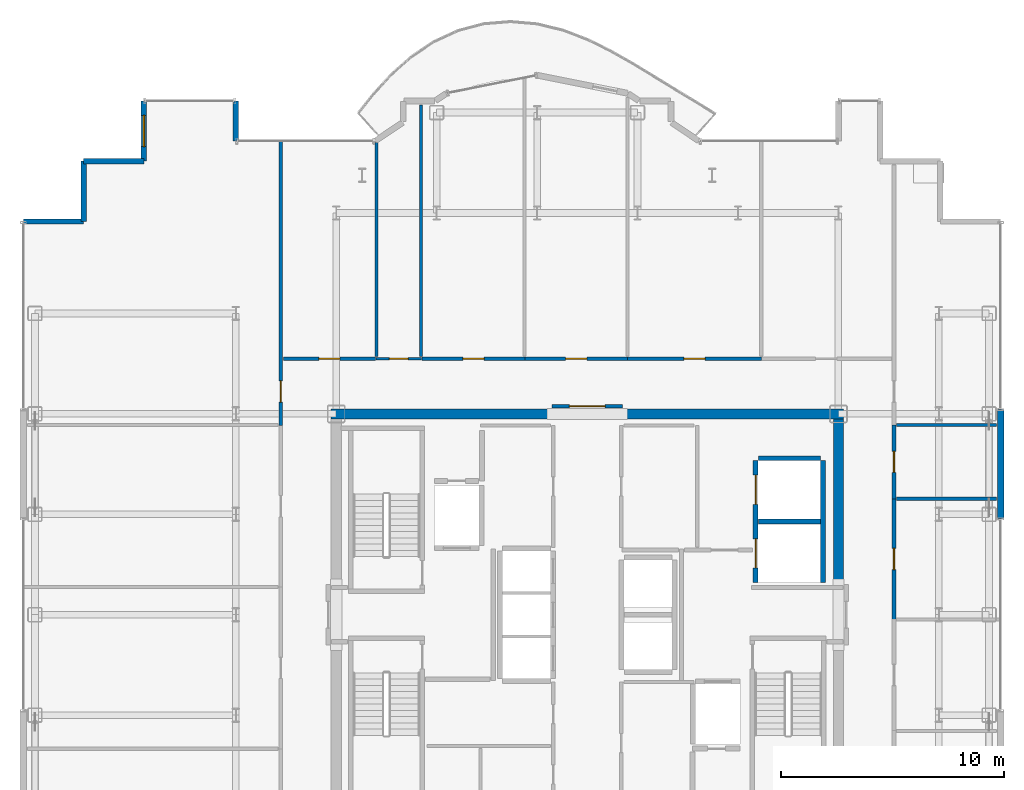
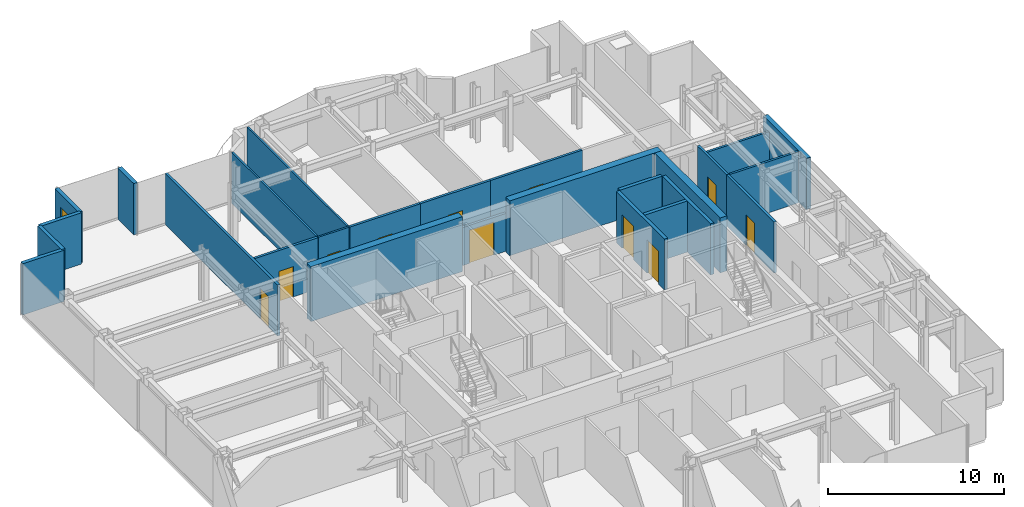
# One storey, part 14 of 16: 26 walls, 11 doors, 1 window, 12 openings.
"""IFC4 building model written with IfcOpenShell, lengths in metres."""

from ifc_helpers import new_model, si_unit, direction, frame, frame_2d, origin, place, context, subcontext, project, spatial, rectangle, extrude, source, transform, mapped, material, layer, layer_set, type_object, element, fill, save


model = new_model("IFC4")

# Units and contexts
model_context = context("Model", 3, precision=1e-05, world=origin(), true_north=direction((0.0, 1.0)))
body_context = subcontext(model_context, "Body", "Model", "MODEL_VIEW")
ifc_project = project(units=[si_unit("LENGTHUNIT", "METRE"), si_unit("AREAUNIT", "SQUARE_METRE"), si_unit("VOLUMEUNIT", "CUBIC_METRE"), si_unit("PLANEANGLEUNIT", "RADIAN"), si_unit("MASSUNIT", "GRAM", prefix="KILO")], contexts=[model_context])

# Site, building, storey
site_placement = place(None, origin())
site = spatial("IfcSite", under=ifc_project, at=site_placement, CompositionType="ELEMENT")
building_placement = place(site_placement, origin())
building = spatial("IfcBuilding", under=site, at=building_placement, Name="Nefas-Gora Pilgrimage Tower", CompositionType="ELEMENT")
storey_placement = place(building_placement, frame((0.0, 0.0, 287.39990234375)))
storey = spatial("IfcBuildingStorey", under=building, at=storey_placement, Name="L72", CompositionType="ELEMENT", Elevation=287.39990234375)

# Walls
ifc_material_1 = material(Name="Concrete C50/60", Category="concrete")
ifc_layer_1 = layer(ifc_material_1, 0.449951171875)
ifc_layer_set_1 = layer_set([ifc_layer_1], Name="Concrete C50/60")
wall_type_1 = type_object("IfcWallType", Name="SW-CORE-450", PredefinedType="SHEAR", material=ifc_layer_set_1)
shared_shape_1 = source(origin(), body_context, "Body", "SweptSolid", [
    extrude(rectangle(XDim=9.925048828125, YDim=0.449951171875, at=frame_2d((4.96240234375, 0.0))), origin(), (0.0, 0.0, 1.0), 3.800048828125),
])
for number, where, z_axis, x_axis, name in (
    (1, (-11.47509765625, 9.0, 0.0), (0.0, 0.0, 1.0), (1.0, 0.0, 0.0), "L72 Core Shear Wall N-West"),
    (2, (1.550048828125, 9.0, 0.0), (0.0, 0.0, 1.0), (1.0, 0.0, 0.0), "L72 Core Shear Wall N-East"),
):
    element("IfcWall", number, at=place(storey_placement, frame(where, z_axis=z_axis, x_axis=x_axis)), inside=storey, type_object=wall_type_1, Name=name, PredefinedType="SHEAR", context=body_context, shape_type="MappedRepresentation", body=[
        mapped(shared_shape_1, transform((0.0, 0.0, 0.0), x_axis=(1.0, 0.0, 0.0), y_axis=(0.0, 1.0, 0.0), z_axis=(0.0, 0.0, 1.0), scale=1.0)),
    ])
shared_shape_2 = source(origin(), body_context, "Body", "SweptSolid", [
    extrude(rectangle(XDim=7.4248046875, YDim=0.449951171875, at=frame_2d((3.71240234375, 0.0))), origin(), (0.0, 0.0, 1.0), 3.800048828125),
])
wall_1_placement = place(storey_placement, frame((11.25, 1.35009765625, 0.0), z_axis=(0.0, 0.0, 1.0), x_axis=(0.0, 1.0, 0.0)))
element("IfcWall", 3, at=wall_1_placement, inside=storey, type_object=wall_type_1, Name="L72 Core Shear Wall E-North", PredefinedType="SHEAR", context=body_context, shape_type="MappedRepresentation", body=[
    mapped(shared_shape_2, transform((0.0, 0.0, 0.0), x_axis=(1.0, 0.0, 0.0), y_axis=(0.0, 1.0, 0.0), z_axis=(0.0, 0.0, 1.0), scale=1.0)),
])
ifc_material_2 = material(Name="Precast concrete C45/55", Category="concrete")
ifc_layer_2 = layer(ifc_material_2, 0.239990234375)
ifc_layer_set_2 = layer_set([ifc_layer_2], Name="Precast concrete C45/55")
wall_type_2 = type_object("IfcWallType", Name="EW-SERR-240", PredefinedType="SHEAR", material=ifc_layer_set_2)
shared_shape_3 = source(origin(), body_context, "Body", "SweptSolid", [
    extrude(rectangle(XDim=4.8798828125, YDim=0.300048828125, at=frame_2d((2.43994140625, 0.0))), origin(), (0.0, 0.0, 1.0), 3.550048828125),
])
wall_2_placement = place(storey_placement, frame((18.52001953125, 4.31005859375, 0.0), z_axis=(0.0, 0.0, 1.0), x_axis=(0.0, 1.0, 0.0)))
element("IfcWall", 4, at=wall_2_placement, inside=storey, type_object=wall_type_2, Name="L72 Braced-Tube Precast Shear Cladding 4", PredefinedType="SHEAR", context=body_context, shape_type="MappedRepresentation", body=[
    mapped(shared_shape_3, transform((0.0, 0.0, 0.0), x_axis=(1.0, 0.0, 0.0), y_axis=(0.0, 1.0, 0.0), z_axis=(0.0, 0.0, 1.0), scale=1.0)),
])
ifc_material_3 = material(Name="Precast concrete C40/50", Category="concrete")
ifc_layer_3 = layer(ifc_material_3, 0.260009765625)
ifc_layer_set_3 = layer_set([ifc_layer_3], Name="Precast concrete C40/50")
wall_type_3 = type_object("IfcWallType", Name="EW-PORTAL-260", PredefinedType="SOLIDWALL", material=ifc_layer_set_3)
shared_shape_4 = source(origin(), body_context, "Body", "SweptSolid", [
    extrude(rectangle(XDim=1.800048828125, YDim=0.260009765625, at=frame_2d((0.89990234375, 0.0))), origin(), (0.0, 0.0, 1.0), 3.550048828125),
])
wall_3_placement = place(storey_placement, frame((-15.75, 21.219970703125, 0.0), z_axis=(0.0, 0.0, 1.0), x_axis=(0.0, 1.0, 0.0)))
element("IfcWall", 5, at=wall_3_placement, inside=storey, type_object=wall_type_3, Name="L72 Lobe Shoulder Precast Spandrel Pier 20", PredefinedType="SOLIDWALL", context=body_context, shape_type="MappedRepresentation", body=[
    mapped(shared_shape_4, transform((0.0, 0.0, 0.0), x_axis=(1.0, 0.0, 0.0), y_axis=(0.0, 1.0, 0.0), z_axis=(0.0, 0.0, 1.0), scale=1.0)),
])

# Wall, opening, window
shared_shape_5 = source(origin(), body_context, "Body", "SweptSolid", [
    extrude(rectangle(XDim=2.699951171875, YDim=0.239990234375, at=frame_2d((1.35009765625, 0.0))), origin(), (0.0, 0.0, 1.0), 3.550048828125),
])
wall_4_placement = place(storey_placement, frame((-19.8701171875, 23.02001953125, 0.0), z_axis=(0.0, 0.0, 1.0), x_axis=(0.0, -1.0, 0.0)))
wall_4 = element("IfcWall", 6, at=wall_4_placement, inside=storey, type_object=wall_type_2, Name="L72 Serrated Corner Shear Pier Wall 21", PredefinedType="SHEAR", context=body_context, shape_type="MappedRepresentation", body=[
    mapped(shared_shape_5, transform((0.0, 0.0, 0.0), x_axis=(1.0, 0.0, 0.0), y_axis=(0.0, 1.0, 0.0), z_axis=(0.0, 0.0, 1.0), scale=1.0)),
])
opening_1_placement = place(wall_4_placement, frame((0.64990234375, 0.0, 0.85009765625)))
opening_1 = element("IfcOpeningElement", 7, at=opening_1_placement, cuts=wall_4, Name="Opening W-V2", PredefinedType="OPENING", context=body_context, shape_type="SweptSolid", body=[
    extrude(rectangle(XDim=1.39990234375, YDim=1.800048828125, at=frame_2d((0.699951171875, 0.89990234375))), frame((0.0, 0.1298828125, 0.0), z_axis=(0.0, -1.0, 0.0), x_axis=(1.0, 0.0, 0.0)), (0.0, 0.0, 1.0), 0.260009765625),
])
ifc_material_4 = material(Name="Dark ceramic-fritted operable aluminium-glass window", Category="aluminium")
window_type = type_object("IfcWindowType", Name="WIN-VENT-1400x1800", PartitioningType="SINGLE_PANEL", PredefinedType="WINDOW", material=ifc_material_4)
shared_shape_6 = source(origin(), body_context, "Body", "SweptSolid", [
    extrude(rectangle(XDim=1.39990234375, YDim=1.800048828125, at=frame_2d((0.699951171875, 0.89990234375))), frame((0.0, 0.030029296875, 0.0), z_axis=(0.0, -1.0, 0.0), x_axis=(1.0, 0.0, 0.0)), (0.0, 0.0, 1.0), 0.06005859375),
])
window_placement = place(opening_1_placement, origin())
window = element("IfcWindow", 8, at=window_placement, inside=storey, type_object=window_type, Name="L72 Operable Parallel-Outswing Window 21", OverallHeight=1.800048828125, OverallWidth=1.39990234375, PartitioningType="SINGLE_PANEL", PredefinedType="WINDOW", context=body_context, shape_type="MappedRepresentation", body=[
    mapped(shared_shape_6, transform((0.0, 0.0, 0.0), x_axis=(1.0, 0.0, 0.0), y_axis=(0.0, 1.0, 0.0), z_axis=(0.0, 0.0, 1.0), scale=1.0)),
])
fill(opening_1, window)

# Walls
for number, where, z_axis, x_axis, name in (
    (9, (-19.8701171875, 20.320068359375, 0.0), (0.0, 0.0, 1.0), (-1.0, 0.0, 0.0), "L72 Serrated Corner Shear Pier Wall 22"),
    (10, (-22.570068359375, 20.320068359375, 0.0), (0.0, 0.0, 1.0), (0.0, -1.0, 0.0), "L72 Serrated Corner Shear Pier Wall 23"),
    (11, (-22.570068359375, 17.6201171875, 0.0), (0.0, 0.0, 1.0), (-1.0, 0.0, 0.0), "L72 Serrated Corner Shear Pier Wall 24"),
):
    element("IfcWall", number, at=place(storey_placement, frame(where, z_axis=z_axis, x_axis=x_axis)), inside=storey, type_object=wall_type_2, Name=name, PredefinedType="SHEAR", context=body_context, shape_type="MappedRepresentation", body=[
        mapped(shared_shape_5, transform((0.0, 0.0, 0.0), x_axis=(1.0, 0.0, 0.0), y_axis=(0.0, 1.0, 0.0), z_axis=(0.0, 0.0, 1.0), scale=1.0)),
    ])

# Wall, openings, doors
ifc_material_5 = material(Name="Concrete C40/50", Category="concrete")
ifc_layer_4 = layer(ifc_material_5, 0.219970703125)
ifc_layer_set_4 = layer_set([ifc_layer_4], Name="Concrete C40/50")
wall_type_4 = type_object("IfcWallType", Name="IW-SHAFT-220", PredefinedType="SOLIDWALL", material=ifc_layer_set_4)
shared_shape_7 = source(origin(), body_context, "Body", "SweptSolid", [
    extrude(rectangle(XDim=5.449951171875, YDim=0.219970703125, at=frame_2d((2.72509765625, 0.0))), origin(), (0.0, 0.0, 1.0), 3.53515625),
])
wall_5_placement = place(storey_placement, frame((7.5400390625, 6.89990234375, 0.0), z_axis=(0.0, 0.0, 1.0), x_axis=(0.0, -1.0, 0.0)))
wall_5 = element("IfcWall", 12, at=wall_5_placement, inside=storey, type_object=wall_type_4, Name="L72 Hoistway Wall SL-01-02-W", PredefinedType="SOLIDWALL", context=body_context, shape_type="MappedRepresentation", body=[
    mapped(shared_shape_7, transform((0.0, 0.0, 0.0), x_axis=(1.0, 0.0, 0.0), y_axis=(0.0, 1.0, 0.0), z_axis=(0.0, 0.0, 1.0), scale=1.0)),
])
opening_2_placement = place(wall_5_placement, frame((3.5, 0.0, 0.0)))
opening_2 = element("IfcOpeningElement", 13, at=opening_2_placement, cuts=wall_5, Name="Opening LD-SV", PredefinedType="OPENING", context=body_context, shape_type="SweptSolid", body=[
    extrude(rectangle(XDim=1.300048828125, YDim=2.300048828125, at=frame_2d((0.64990234375, 1.14990234375))), frame((0.0, 0.119873046875, 0.0), z_axis=(0.0, -1.0, 0.0), x_axis=(1.0, 0.0, 0.0)), (0.0, 0.0, 1.0), 0.239990234375),
])
opening_3_placement = place(wall_5_placement, frame((0.64990234375, 0.0, 0.0)))
opening_3 = element("IfcOpeningElement", 14, at=opening_3_placement, cuts=wall_5, Name="Opening LD-SV", PredefinedType="OPENING", context=body_context, shape_type="SweptSolid", body=[
    extrude(rectangle(XDim=1.300048828125, YDim=2.300048828125, at=frame_2d((0.64990234375, 1.14990234375))), frame((0.0, 0.119873046875, 0.0), z_axis=(0.0, -1.0, 0.0), x_axis=(1.0, 0.0, 0.0)), (0.0, 0.0, 1.0), 0.239990234375),
])
ifc_material_6 = material(Name="Heavy goods sliding lift landing door")
door_type_1 = type_object("IfcDoorType", Name="DR-LIFT-SERV-1300", OperationType="SLIDING_TO_RIGHT", PredefinedType="DOOR", material=ifc_material_6)
shared_shape_8 = source(origin(), body_context, "Body", "SweptSolid", [
    extrude(rectangle(XDim=1.300048828125, YDim=2.300048828125, at=frame_2d((0.64990234375, 1.14990234375))), frame((0.0, 0.02490234375, 0.0), z_axis=(0.0, -1.0, 0.0), x_axis=(1.0, 0.0, 0.0)), (0.0, 0.0, 1.0), 0.050048828125),
])
door_1_placement = place(opening_2_placement, origin())
door_1 = element("IfcDoor", 15, at=door_1_placement, inside=storey, type_object=door_type_1, Name="L72 Sliding Lift Landing Door SL-01", OperationType="SLIDING_TO_RIGHT", OverallHeight=2.300048828125, OverallWidth=1.300048828125, PredefinedType="DOOR", context=body_context, shape_type="MappedRepresentation", body=[
    mapped(shared_shape_8, transform((0.0, 0.0, 0.0), x_axis=(1.0, 0.0, 0.0), y_axis=(0.0, 1.0, 0.0), z_axis=(0.0, 0.0, 1.0), scale=1.0)),
])
fill(opening_2, door_1)
door_2_placement = place(opening_3_placement, origin())
door_2 = element("IfcDoor", 16, at=door_2_placement, inside=storey, type_object=door_type_1, Name="L72 Sliding Lift Landing Door SL-02", OperationType="SLIDING_TO_RIGHT", OverallHeight=2.300048828125, OverallWidth=1.300048828125, PredefinedType="DOOR", context=body_context, shape_type="MappedRepresentation", body=[
    mapped(shared_shape_8, transform((0.0, 0.0, 0.0), x_axis=(1.0, 0.0, 0.0), y_axis=(0.0, 1.0, 0.0), z_axis=(0.0, 0.0, 1.0), scale=1.0)),
])
fill(opening_3, door_2)

# Walls
wall_6_placement = place(storey_placement, frame((10.56005859375, 1.449951171875, 0.0), z_axis=(0.0, 0.0, 1.0), x_axis=(0.0, 1.0, 0.0)))
element("IfcWall", 17, at=wall_6_placement, inside=storey, type_object=wall_type_4, Name="L72 Hoistway Wall SL-01-02-E", PredefinedType="SOLIDWALL", context=body_context, shape_type="MappedRepresentation", body=[
    mapped(shared_shape_7, transform((0.0, 0.0, 0.0), x_axis=(1.0, 0.0, 0.0), y_axis=(0.0, 1.0, 0.0), z_axis=(0.0, 0.0, 1.0), scale=1.0)),
])
shared_shape_9 = source(origin(), body_context, "Body", "SweptSolid", [
    extrude(rectangle(XDim=2.780029296875, YDim=0.219970703125, at=frame_2d((1.39013671875, 0.0))), origin(), (0.0, 0.0, 1.0), 3.53515625),
])
for number, where, z_axis, x_axis, name in (
    (18, (7.659912109375, 4.175048828125, 0.0), (0.0, 0.0, 1.0), (1.0, 0.0, 0.0), "L72 Hoistway Wall SL-01-02-DIV"),
    (19, (10.43994140625, 7.010009765625, 0.0), (0.0, 0.0, 1.0), (-1.0, 0.0, 0.0), "L72 Hoistway Wall SL-02-N"),
):
    element("IfcWall", number, at=place(storey_placement, frame(where, z_axis=z_axis, x_axis=x_axis)), inside=storey, type_object=wall_type_4, Name=name, PredefinedType="SOLIDWALL", context=body_context, shape_type="MappedRepresentation", body=[
        mapped(shared_shape_9, transform((0.0, 0.0, 0.0), x_axis=(1.0, 0.0, 0.0), y_axis=(0.0, 1.0, 0.0), z_axis=(0.0, 0.0, 1.0), scale=1.0)),
    ])

# Wall, opening, door
ifc_material_7 = material(Name="Moisture-resistant fire-rated gypsum partition")
ifc_layer_5 = layer(ifc_material_7, 0.1201171875)
ifc_layer_set_5 = layer_set([ifc_layer_5], Name="Moisture-resistant fire-rated gypsum partition")
wall_type_5 = type_object("IfcWallType", Name="IW-WET-120", PredefinedType="PLUMBINGWALL", material=ifc_layer_set_5)
shared_shape_10 = source(origin(), body_context, "Body", "SweptSolid", [
    extrude(rectangle(XDim=2.02001953125, YDim=0.1201171875, at=frame_2d((1.010009765625, 0.0))), origin(), (0.0, 0.0, 1.0), 3.53515625),
])
wall_7_placement = place(storey_placement, frame((-9.4599609375, 11.469970703125, 0.0), z_axis=(0.0, 0.0, 1.0), x_axis=(1.0, 0.0, 0.0)))
wall_7 = element("IfcWall", 20, at=wall_7_placement, inside=storey, type_object=wall_type_5, Name="L72 Accessible Unisex WC Partition Wall 30", PredefinedType="PLUMBINGWALL", context=body_context, shape_type="MappedRepresentation", body=[
    mapped(shared_shape_10, transform((0.0, 0.0, 0.0), x_axis=(1.0, 0.0, 0.0), y_axis=(0.0, 1.0, 0.0), z_axis=(0.0, 0.0, 1.0), scale=1.0)),
])
opening_4_placement = place(wall_7_placement, frame((0.5849609375, 0.0, 0.0)))
opening_4 = element("IfcOpeningElement", 21, at=opening_4_placement, cuts=wall_7, Name="Opening ID-BT1", PredefinedType="OPENING", context=body_context, shape_type="SweptSolid", body=[
    extrude(rectangle(XDim=0.85009765625, YDim=2.10009765625, at=frame_2d((0.425048828125, 1.050048828125))), frame((0.0, 0.070068359375, 0.0), z_axis=(0.0, -1.0, 0.0), x_axis=(1.0, 0.0, 0.0)), (0.0, 0.0, 1.0), 0.14013671875),
])
ifc_material_8 = material(Name="Moisture-resistant fire-rated timber door", Category="wood")
door_type_2 = type_object("IfcDoorType", Name="DR-INT-BATH-850", OperationType="NOTDEFINED", PredefinedType="DOOR", material=ifc_material_8)
shared_shape_11 = source(origin(), body_context, "Body", "SweptSolid", [
    extrude(rectangle(XDim=0.85009765625, YDim=2.10009765625, at=frame_2d((0.425048828125, 1.050048828125))), frame((0.0, 0.02490234375, 0.0), z_axis=(0.0, -1.0, 0.0), x_axis=(1.0, 0.0, 0.0)), (0.0, 0.0, 1.0), 0.050048828125),
])
door_3_placement = place(opening_4_placement, origin())
door_3 = element("IfcDoor", 22, at=door_3_placement, inside=storey, type_object=door_type_2, Name="L72 Accessible Unisex WC Door 13", OperationType="SINGLE_SWING_LEFT", OverallHeight=2.10009765625, OverallWidth=0.85009765625, PredefinedType="DOOR", context=body_context, shape_type="MappedRepresentation", body=[
    mapped(shared_shape_11, transform((0.0, 0.0, 0.0), x_axis=(1.0, 0.0, 0.0), y_axis=(0.0, 1.0, 0.0), z_axis=(0.0, 0.0, 1.0), scale=1.0)),
])
fill(opening_4, door_3)

# Walls
shared_shape_12 = source(origin(), body_context, "Body", "SweptSolid", [
    extrude(rectangle(XDim=11.280029296875, YDim=0.1201171875, at=frame_2d((5.64013671875, 0.0))), origin(), (0.0, 0.0, 1.0), 3.53515625),
])
wall_8_placement = place(storey_placement, frame((-7.449951171875, 11.570068359375, 0.0), z_axis=(0.0, 0.0, 1.0), x_axis=(0.0, 1.0, 0.0)))
element("IfcWall", 23, at=wall_8_placement, inside=storey, type_object=wall_type_5, Name="L72 Accessible Unisex WC Partition Wall 31", PredefinedType="PLUMBINGWALL", context=body_context, shape_type="MappedRepresentation", body=[
    mapped(shared_shape_12, transform((0.0, 0.0, 0.0), x_axis=(1.0, 0.0, 0.0), y_axis=(0.0, 1.0, 0.0), z_axis=(0.0, 0.0, 1.0), scale=1.0)),
])
shared_shape_13 = source(origin(), body_context, "Body", "SweptSolid", [
    extrude(rectangle(XDim=9.586669921875, YDim=0.1201171875, at=frame_2d((4.79345703125, 0.0))), origin(), (0.0, 0.0, 1.0), 3.53515625),
])
wall_9_placement = place(storey_placement, frame((-9.449951171875, 11.570068359375, 0.0), z_axis=(0.0, 0.0, 1.0), x_axis=(0.0, 1.0, 0.0)))
element("IfcWall", 24, at=wall_9_placement, inside=storey, type_object=wall_type_5, Name="L72 Accessible Unisex WC Partition Wall 32", PredefinedType="PLUMBINGWALL", context=body_context, shape_type="MappedRepresentation", body=[
    mapped(shared_shape_13, transform((0.0, 0.0, 0.0), x_axis=(1.0, 0.0, 0.0), y_axis=(0.0, 1.0, 0.0), z_axis=(0.0, 0.0, 1.0), scale=1.0)),
])

# Wall, opening, door
ifc_material_9 = material(Name="Gypsum acoustic stud partition")
ifc_layer_6 = layer(ifc_material_9, 0.159912109375)
ifc_layer_set_6 = layer_set([ifc_layer_6], Name="Gypsum acoustic stud partition")
wall_type_6 = type_object("IfcWallType", Name="IW-CORR-160", PredefinedType="PARTITIONING", material=ifc_layer_set_6)
shared_shape_14 = source(origin(), body_context, "Body", "SweptSolid", [
    extrude(rectangle(XDim=4.125, YDim=0.159912109375, at=frame_2d((2.0625, 0.0))), origin(), (0.0, 0.0, 1.0), 3.53515625),
])
wall_10_placement = place(storey_placement, frame((-13.6201171875, 11.469970703125, 0.0), z_axis=(0.0, 0.0, 1.0), x_axis=(1.0, 0.0, 0.0)))
wall_10 = element("IfcWall", 25, at=wall_10_placement, inside=storey, type_object=wall_type_6, Name="L72 Pilgrim Contemplative Lounge Partition Wall 51", PredefinedType="PARTITIONING", context=body_context, shape_type="MappedRepresentation", body=[
    mapped(shared_shape_14, transform((0.0, 0.0, 0.0), x_axis=(1.0, 0.0, 0.0), y_axis=(0.0, 1.0, 0.0), z_axis=(0.0, 0.0, 1.0), scale=1.0)),
])
opening_5_placement = place(wall_10_placement, frame((1.58740234375, 0.0, 0.0)))
opening_5 = element("IfcOpeningElement", 26, at=opening_5_placement, cuts=wall_10, Name="Opening ID-GR1", PredefinedType="OPENING", context=body_context, shape_type="SweptSolid", body=[
    extrude(rectangle(XDim=0.949951171875, YDim=2.10009765625, at=frame_2d((0.47509765625, 1.050048828125))), frame((0.0, 0.08984375, 0.0), z_axis=(0.0, -1.0, 0.0), x_axis=(1.0, 0.0, 0.0)), (0.0, 0.0, 1.0), 0.179931640625),
])
ifc_material_10 = material(Name="Solid core oak fire-rated guest entrance door")
door_type_3 = type_object("IfcDoorType", Name="DR-INT-GUEST-950", OperationType="NOTDEFINED", PredefinedType="DOOR", material=ifc_material_10)
shared_shape_15 = source(origin(), body_context, "Body", "SweptSolid", [
    extrude(rectangle(XDim=0.949951171875, YDim=2.10009765625, at=frame_2d((0.47509765625, 1.050048828125))), frame((0.0, 0.02490234375, 0.0), z_axis=(0.0, -1.0, 0.0), x_axis=(1.0, 0.0, 0.0)), (0.0, 0.0, 1.0), 0.050048828125),
])
door_4_placement = place(opening_5_placement, origin())
door_4 = element("IfcDoor", 27, at=door_4_placement, inside=storey, type_object=door_type_3, Name="L72 Pilgrim Contemplative Lounge Door 24", OperationType="SINGLE_SWING_RIGHT", OverallHeight=2.10009765625, OverallWidth=0.949951171875, PredefinedType="DOOR", context=body_context, shape_type="MappedRepresentation", body=[
    mapped(shared_shape_15, transform((0.0, 0.0, 0.0), x_axis=(1.0, 0.0, 0.0), y_axis=(0.0, 1.0, 0.0), z_axis=(0.0, 0.0, 1.0), scale=1.0)),
])
fill(opening_5, door_4)

shared_shape_16 = source(origin(), body_context, "Body", "SweptSolid", [
    extrude(rectangle(XDim=12.75244140625, YDim=0.159912109375, at=frame_2d((6.376220703125, 0.0))), origin(), (0.0, 0.0, 1.0), 3.53515625),
])
wall_11_placement = place(storey_placement, frame((-13.739990234375, 8.487548828125, 0.0), z_axis=(0.0, 0.0, 1.0), x_axis=(0.0, 1.0, 0.0)))
wall_11 = element("IfcWall", 28, at=wall_11_placement, inside=storey, type_object=wall_type_6, Name="L72 Pilgrim Tea and Beverage Pantry Partition Wall 35", PredefinedType="PARTITIONING", context=body_context, shape_type="MappedRepresentation", body=[
    mapped(shared_shape_16, transform((0.0, 0.0, 0.0), x_axis=(1.0, 0.0, 0.0), y_axis=(0.0, 1.0, 0.0), z_axis=(0.0, 0.0, 1.0), scale=1.0)),
])
opening_6_placement = place(wall_11_placement, frame((1.0361328125, 0.0, 0.0)))
opening_6 = element("IfcOpeningElement", 29, at=opening_6_placement, cuts=wall_11, Name="Opening ID-GR1", PredefinedType="OPENING", context=body_context, shape_type="SweptSolid", body=[
    extrude(rectangle(XDim=0.949951171875, YDim=2.10009765625, at=frame_2d((0.47509765625, 1.050048828125))), frame((0.0, 0.08984375, 0.0), z_axis=(0.0, -1.0, 0.0), x_axis=(1.0, 0.0, 0.0)), (0.0, 0.0, 1.0), 0.179931640625),
])
door_5_placement = place(opening_6_placement, origin())
door_5 = element("IfcDoor", 30, at=door_5_placement, inside=storey, type_object=door_type_3, Name="L72 Pilgrim Tea and Beverage Pantry Door 15", OperationType="SINGLE_SWING_LEFT", OverallHeight=2.10009765625, OverallWidth=0.949951171875, PredefinedType="DOOR", context=body_context, shape_type="MappedRepresentation", body=[
    mapped(shared_shape_15, transform((0.0, 0.0, 0.0), x_axis=(1.0, 0.0, 0.0), y_axis=(0.0, 1.0, 0.0), z_axis=(0.0, 0.0, 1.0), scale=1.0)),
])
fill(opening_6, door_5)

shared_shape_17 = source(origin(), body_context, "Body", "SweptSolid", [
    extrude(rectangle(XDim=3.309814453125, YDim=0.159912109375, at=frame_2d((1.65478515625, 0.0))), origin(), (0.0, 0.0, 1.0), 3.53515625),
])
wall_12_placement = place(storey_placement, frame((13.739990234375, 5.195068359375, 0.0), z_axis=(0.0, 0.0, 1.0), x_axis=(0.0, 1.0, 0.0)))
wall_12 = element("IfcWall", 31, at=wall_12_placement, inside=storey, type_object=wall_type_6, Name="L72 Scripture Reading Study Partition Wall 48", PredefinedType="PARTITIONING", context=body_context, shape_type="MappedRepresentation", body=[
    mapped(shared_shape_17, transform((0.0, 0.0, 0.0), x_axis=(1.0, 0.0, 0.0), y_axis=(0.0, 1.0, 0.0), z_axis=(0.0, 0.0, 1.0), scale=1.0)),
])
opening_7_placement = place(wall_12_placement, frame((1.179931640625, 0.0, 0.0)))
opening_7 = element("IfcOpeningElement", 32, at=opening_7_placement, cuts=wall_12, Name="Opening ID-GR1", PredefinedType="OPENING", context=body_context, shape_type="SweptSolid", body=[
    extrude(rectangle(XDim=0.949951171875, YDim=2.10009765625, at=frame_2d((0.47509765625, 1.050048828125))), frame((0.0, 0.08984375, 0.0), z_axis=(0.0, -1.0, 0.0), x_axis=(1.0, 0.0, 0.0)), (0.0, 0.0, 1.0), 0.179931640625),
])
door_6_placement = place(opening_7_placement, origin())
door_6 = element("IfcDoor", 33, at=door_6_placement, inside=storey, type_object=door_type_3, Name="L72 Scripture Reading Study Door 22", OperationType="SINGLE_SWING_RIGHT", OverallHeight=2.10009765625, OverallWidth=0.949951171875, PredefinedType="DOOR", context=body_context, shape_type="MappedRepresentation", body=[
    mapped(shared_shape_15, transform((0.0, 0.0, 0.0), x_axis=(1.0, 0.0, 0.0), y_axis=(0.0, 1.0, 0.0), z_axis=(0.0, 0.0, 1.0), scale=1.0)),
])
fill(opening_7, door_6)

shared_shape_18 = source(origin(), body_context, "Body", "SweptSolid", [
    extrude(rectangle(XDim=4.60498046875, YDim=0.159912109375, at=frame_2d((2.302490234375, 0.0))), origin(), (0.0, 0.0, 1.0), 3.53515625),
])
wall_13_placement = place(storey_placement, frame((-7.405029296875, 11.469970703125, 0.0), z_axis=(0.0, 0.0, 1.0), x_axis=(1.0, 0.0, 0.0)))
wall_13 = element("IfcWall", 34, at=wall_13_placement, inside=storey, type_object=wall_type_6, Name="L72 Pilgrim Contemplative Lounge Partition Wall 52", PredefinedType="PARTITIONING", context=body_context, shape_type="MappedRepresentation", body=[
    mapped(shared_shape_18, transform((0.0, 0.0, 0.0), x_axis=(1.0, 0.0, 0.0), y_axis=(0.0, 1.0, 0.0), z_axis=(0.0, 0.0, 1.0), scale=1.0)),
])
opening_8_placement = place(wall_13_placement, frame((1.827392578125, 0.0, 0.0)))
opening_8 = element("IfcOpeningElement", 35, at=opening_8_placement, cuts=wall_13, Name="Opening ID-GR1", PredefinedType="OPENING", context=body_context, shape_type="SweptSolid", body=[
    extrude(rectangle(XDim=0.949951171875, YDim=2.10009765625, at=frame_2d((0.47509765625, 1.050048828125))), frame((0.0, 0.08984375, 0.0), z_axis=(0.0, -1.0, 0.0), x_axis=(1.0, 0.0, 0.0)), (0.0, 0.0, 1.0), 0.179931640625),
])
door_7_placement = place(opening_8_placement, origin())
door_7 = element("IfcDoor", 36, at=door_7_placement, inside=storey, type_object=door_type_3, Name="L72 Pilgrim Contemplative Lounge Door 25", OperationType="SINGLE_SWING_LEFT", OverallHeight=2.10009765625, OverallWidth=0.949951171875, PredefinedType="DOOR", context=body_context, shape_type="MappedRepresentation", body=[
    mapped(shared_shape_15, transform((0.0, 0.0, 0.0), x_axis=(1.0, 0.0, 0.0), y_axis=(0.0, 1.0, 0.0), z_axis=(0.0, 0.0, 1.0), scale=1.0)),
])
fill(opening_8, door_7)

wall_14_placement = place(storey_placement, frame((-2.800048828125, 11.469970703125, 0.0), z_axis=(0.0, 0.0, 1.0), x_axis=(1.0, 0.0, 0.0)))
wall_14 = element("IfcWall", 37, at=wall_14_placement, inside=storey, type_object=wall_type_6, Name="L72 Pilgrim Contemplative Lounge Partition Wall 54", PredefinedType="PARTITIONING", context=body_context, shape_type="MappedRepresentation", body=[
    mapped(shared_shape_18, transform((0.0, 0.0, 0.0), x_axis=(1.0, 0.0, 0.0), y_axis=(0.0, 1.0, 0.0), z_axis=(0.0, 0.0, 1.0), scale=1.0)),
])
opening_9_placement = place(wall_14_placement, frame((1.827392578125, 0.0, 0.0)))
opening_9 = element("IfcOpeningElement", 38, at=opening_9_placement, cuts=wall_14, Name="Opening ID-GR1", PredefinedType="OPENING", context=body_context, shape_type="SweptSolid", body=[
    extrude(rectangle(XDim=0.949951171875, YDim=2.10009765625, at=frame_2d((0.47509765625, 1.050048828125))), frame((0.0, 0.08984375, 0.0), z_axis=(0.0, -1.0, 0.0), x_axis=(1.0, 0.0, 0.0)), (0.0, 0.0, 1.0), 0.179931640625),
])
door_8_placement = place(opening_9_placement, origin())
door_8 = element("IfcDoor", 39, at=door_8_placement, inside=storey, type_object=door_type_3, Name="L72 Pilgrim Contemplative Lounge Door 26", OperationType="SINGLE_SWING_RIGHT", OverallHeight=2.10009765625, OverallWidth=0.949951171875, PredefinedType="DOOR", context=body_context, shape_type="MappedRepresentation", body=[
    mapped(shared_shape_15, transform((0.0, 0.0, 0.0), x_axis=(1.0, 0.0, 0.0), y_axis=(0.0, 1.0, 0.0), z_axis=(0.0, 0.0, 1.0), scale=1.0)),
])
fill(opening_9, door_8)

shared_shape_19 = source(origin(), body_context, "Body", "SweptSolid", [
    extrude(rectangle(XDim=6.010009765625, YDim=0.159912109375, at=frame_2d((3.0048828125, 0.0))), origin(), (0.0, 0.0, 1.0), 3.53515625),
])
wall_15_placement = place(storey_placement, frame((1.794921875, 11.469970703125, 0.0), z_axis=(0.0, 0.0, 1.0), x_axis=(1.0, 0.0, 0.0)))
wall_15 = element("IfcWall", 40, at=wall_15_placement, inside=storey, type_object=wall_type_6, Name="L72 Pilgrim Contemplative Lounge Partition Wall 56", PredefinedType="PARTITIONING", context=body_context, shape_type="MappedRepresentation", body=[
    mapped(shared_shape_19, transform((0.0, 0.0, 0.0), x_axis=(1.0, 0.0, 0.0), y_axis=(0.0, 1.0, 0.0), z_axis=(0.0, 0.0, 1.0), scale=1.0)),
])
opening_10_placement = place(wall_15_placement, frame((2.530029296875, 0.0, 0.0)))
opening_10 = element("IfcOpeningElement", 41, at=opening_10_placement, cuts=wall_15, Name="Opening ID-GR1", PredefinedType="OPENING", context=body_context, shape_type="SweptSolid", body=[
    extrude(rectangle(XDim=0.949951171875, YDim=2.10009765625, at=frame_2d((0.47509765625, 1.050048828125))), frame((0.0, 0.08984375, 0.0), z_axis=(0.0, -1.0, 0.0), x_axis=(1.0, 0.0, 0.0)), (0.0, 0.0, 1.0), 0.179931640625),
])
door_9_placement = place(opening_10_placement, origin())
door_9 = element("IfcDoor", 42, at=door_9_placement, inside=storey, type_object=door_type_3, Name="L72 Pilgrim Contemplative Lounge Door 27", OperationType="SINGLE_SWING_LEFT", OverallHeight=2.10009765625, OverallWidth=0.949951171875, PredefinedType="DOOR", context=body_context, shape_type="MappedRepresentation", body=[
    mapped(shared_shape_15, transform((0.0, 0.0, 0.0), x_axis=(1.0, 0.0, 0.0), y_axis=(0.0, 1.0, 0.0), z_axis=(0.0, 0.0, 1.0), scale=1.0)),
])
fill(opening_10, door_9)

shared_shape_20 = source(origin(), body_context, "Body", "SweptSolid", [
    extrude(rectangle(XDim=5.41015625, YDim=0.159912109375, at=frame_2d((2.705078125, 0.0))), origin(), (0.0, 0.0, 1.0), 3.53515625),
])
wall_16_placement = place(storey_placement, frame((13.739990234375, -0.205078125, 0.0), z_axis=(0.0, 0.0, 1.0), x_axis=(0.0, 1.0, 0.0)))
wall_16 = element("IfcWall", 43, at=wall_16_placement, inside=storey, type_object=wall_type_6, Name="L72 Pilgrim Contemplative Lounge Partition Wall 46", PredefinedType="PARTITIONING", context=body_context, shape_type="MappedRepresentation", body=[
    mapped(shared_shape_20, transform((0.0, 0.0, 0.0), x_axis=(1.0, 0.0, 0.0), y_axis=(0.0, 1.0, 0.0), z_axis=(0.0, 0.0, 1.0), scale=1.0)),
])
opening_11_placement = place(wall_16_placement, frame((2.22998046875, 0.0, 0.0)))
opening_11 = element("IfcOpeningElement", 44, at=opening_11_placement, cuts=wall_16, Name="Opening ID-GR1", PredefinedType="OPENING", context=body_context, shape_type="SweptSolid", body=[
    extrude(rectangle(XDim=0.949951171875, YDim=2.10009765625, at=frame_2d((0.47509765625, 1.050048828125))), frame((0.0, 0.08984375, 0.0), z_axis=(0.0, -1.0, 0.0), x_axis=(1.0, 0.0, 0.0)), (0.0, 0.0, 1.0), 0.179931640625),
])
door_10_placement = place(opening_11_placement, origin())
door_10 = element("IfcDoor", 45, at=door_10_placement, inside=storey, type_object=door_type_3, Name="L72 Pilgrim Contemplative Lounge Door 21", OperationType="SINGLE_SWING_LEFT", OverallHeight=2.10009765625, OverallWidth=0.949951171875, PredefinedType="DOOR", context=body_context, shape_type="MappedRepresentation", body=[
    mapped(shared_shape_15, transform((0.0, 0.0, 0.0), x_axis=(1.0, 0.0, 0.0), y_axis=(0.0, 1.0, 0.0), z_axis=(0.0, 0.0, 1.0), scale=1.0)),
])
fill(opening_11, door_10)

shared_shape_21 = source(origin(), body_context, "Body", "SweptSolid", [
    extrude(rectangle(XDim=3.16015625, YDim=0.159912109375, at=frame_2d((1.580078125, 0.0))), origin(), (0.0, 0.0, 1.0), 2.625),
])
wall_17_placement = place(storey_placement, frame((-1.580078125, 9.35009765625, 0.0), z_axis=(0.0, 0.0, 1.0), x_axis=(1.0, 0.0, 0.0)))
wall_17 = element("IfcWall", 46, at=wall_17_placement, inside=storey, type_object=wall_type_6, Name="L72 Central Lift Lobby North Portal Wall 16", PredefinedType="PARTITIONING", context=body_context, shape_type="MappedRepresentation", body=[
    mapped(shared_shape_21, transform((0.0, 0.0, 0.0), x_axis=(1.0, 0.0, 0.0), y_axis=(0.0, 1.0, 0.0), z_axis=(0.0, 0.0, 1.0), scale=1.0)),
])
opening_12_placement = place(wall_17_placement, frame((0.780029296875, 0.0, 0.0)))
opening_12 = element("IfcOpeningElement", 47, at=opening_12_placement, cuts=wall_17, Name="Opening ID-HL1", PredefinedType="OPENING", context=body_context, shape_type="SweptSolid", body=[
    extrude(rectangle(XDim=1.60009765625, YDim=2.300048828125, at=frame_2d((0.800048828125, 1.14990234375))), frame((0.0, 0.08984375, 0.0), z_axis=(0.0, -1.0, 0.0), x_axis=(1.0, 0.0, 0.0)), (0.0, 0.0, 1.0), 0.179931640625),
])
ifc_material_11 = material(Name="Double acoustic timber assembly hall door", Category="wood")
door_type_4 = type_object("IfcDoorType", Name="DR-INT-HALL-1600", OperationType="DOUBLE_DOOR_SINGLE_SWING", PredefinedType="DOOR", material=ifc_material_11)
shared_shape_22 = source(origin(), body_context, "Body", "SweptSolid", [
    extrude(rectangle(XDim=1.60009765625, YDim=2.300048828125, at=frame_2d((0.800048828125, 1.14990234375))), frame((0.0, 0.02490234375, 0.0), z_axis=(0.0, -1.0, 0.0), x_axis=(1.0, 0.0, 0.0)), (0.0, 0.0, 1.0), 0.050048828125),
])
door_11_placement = place(opening_12_placement, origin())
door_11 = element("IfcDoor", 48, at=door_11_placement, inside=storey, type_object=door_type_4, Name="L72 Central Lift Lobby North Portal Door 6", OperationType="DOUBLE_DOOR_SINGLE_SWING", OverallHeight=2.300048828125, OverallWidth=1.60009765625, PredefinedType="DOOR", context=body_context, shape_type="MappedRepresentation", body=[
    mapped(shared_shape_22, transform((0.0, 0.0, 0.0), x_axis=(1.0, 0.0, 0.0), y_axis=(0.0, 1.0, 0.0), z_axis=(0.0, 0.0, 1.0), scale=1.0)),
])
fill(opening_12, door_11)

# Walls
ifc_material_12 = material(Name="Gypsum twin-stud partition")
ifc_layer_7 = layer(ifc_material_12, 0.139892578125)
ifc_layer_set_7 = layer_set([ifc_layer_7], Name="Gypsum twin-stud partition")
wall_type_7 = type_object("IfcWallType", Name="IW-UNIT-140", PredefinedType="PARTITIONING", material=ifc_layer_set_7)
shared_shape_23 = source(origin(), body_context, "Body", "SweptSolid", [
    extrude(rectangle(XDim=4.469970703125, YDim=0.139892578125, at=frame_2d((2.23486328125, 0.0))), origin(), (0.0, 0.0, 1.0), 2.925048828125),
])
wall_18_placement = place(storey_placement, frame((13.860107421875, 8.4951171875, 0.0), z_axis=(0.0, 0.0, 1.0), x_axis=(1.0, 0.0, 0.0)))
element("IfcWall", 49, at=wall_18_placement, inside=storey, type_object=wall_type_7, Name="L72 Scripture Reading Study Partition Wall 49", PredefinedType="PARTITIONING", context=body_context, shape_type="MappedRepresentation", body=[
    mapped(shared_shape_23, transform((0.0, 0.0, 0.0), x_axis=(1.0, 0.0, 0.0), y_axis=(0.0, 1.0, 0.0), z_axis=(0.0, 0.0, 1.0), scale=1.0)),
])
shared_shape_24 = source(origin(), body_context, "Body", "SweptSolid", [
    extrude(rectangle(XDim=4.469970703125, YDim=0.139892578125, at=frame_2d((2.23486328125, 0.0))), origin(), (0.0, 0.0, 1.0), 3.53515625),
])
wall_19_placement = place(storey_placement, frame((13.860107421875, 5.195068359375, 0.0), z_axis=(0.0, 0.0, 1.0), x_axis=(1.0, 0.0, 0.0)))
element("IfcWall", 50, at=wall_19_placement, inside=storey, type_object=wall_type_7, Name="L72 Pilgrim Contemplative Lounge Partition Wall 47", PredefinedType="PARTITIONING", context=body_context, shape_type="MappedRepresentation", body=[
    mapped(shared_shape_24, transform((0.0, 0.0, 0.0), x_axis=(1.0, 0.0, 0.0), y_axis=(0.0, 1.0, 0.0), z_axis=(0.0, 0.0, 1.0), scale=1.0)),
])

save(model, "model.ifc")
